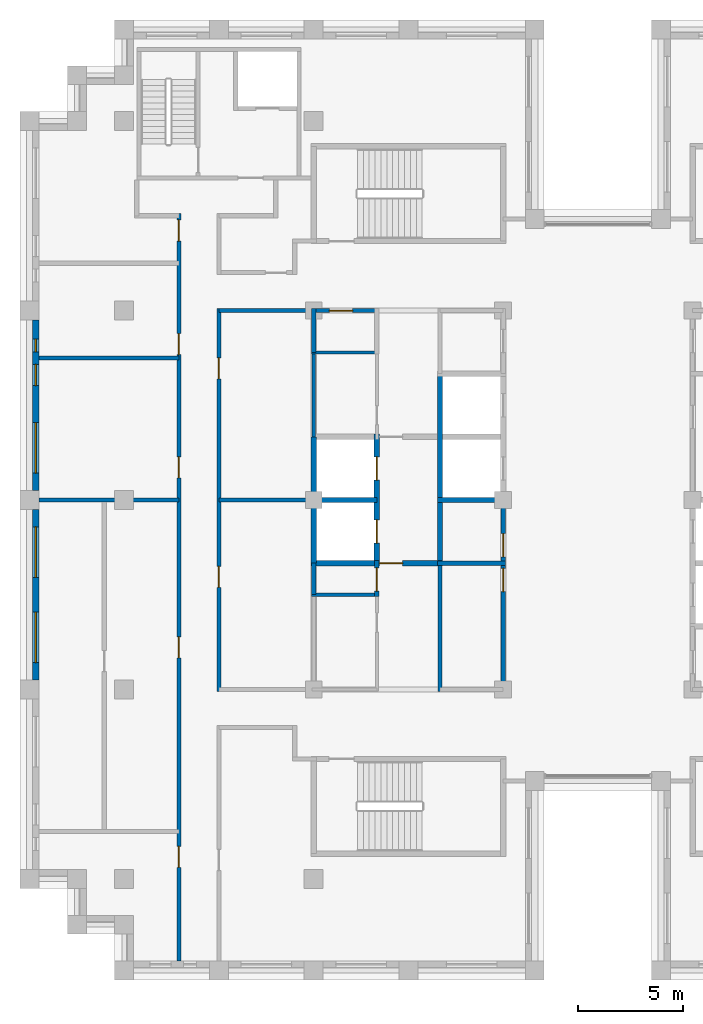
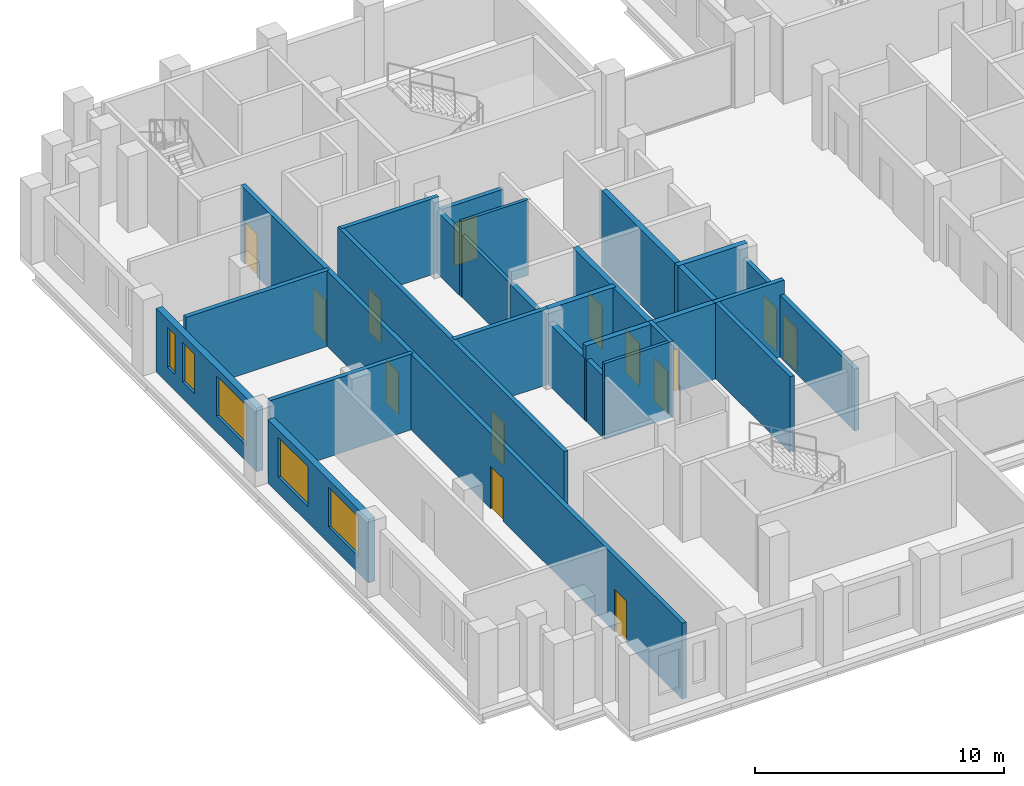
# One storey, part 7 of 13: 24 walls, 14 doors, 5 windows, 19 openings.
"""IFC4 building model written with IfcOpenShell, lengths in metres."""

from ifc_helpers import new_model, si_unit, direction, frame, frame_2d, origin, place, context, subcontext, project, spatial, rectangle, extrude, material, layer, layer_set, type_object, element, fill, save


model = new_model("IFC4")

# Units and contexts
model_context = context("Model", 3, precision=1e-05, world=origin(), true_north=direction((0.0, 1.0)))
body_context = subcontext(model_context, "Body", "Model", "MODEL_VIEW")
ifc_project = project(units=[si_unit("LENGTHUNIT", "METRE"), si_unit("AREAUNIT", "SQUARE_METRE"), si_unit("VOLUMEUNIT", "CUBIC_METRE"), si_unit("PLANEANGLEUNIT", "RADIAN"), si_unit("MASSUNIT", "GRAM", prefix="KILO")], contexts=[model_context])

# Site, building, storey
site_placement = place(None, origin())
site = spatial("IfcSite", under=ifc_project, at=site_placement, CompositionType="ELEMENT")
building_placement = place(site_placement, origin())
building = spatial("IfcBuilding", under=site, at=building_placement, Name="Corbelhall Arena Tower", CompositionType="ELEMENT")
storey_placement = place(building_placement, frame((0.0, 0.0, 270.0)))
storey = spatial("IfcBuildingStorey", under=building, at=storey_placement, Name="L58", CompositionType="ELEMENT", Elevation=270.0)

# Wall, openings, windows
ifc_material_1 = material(Name="Precast concrete C40/50 with granite facing", Category="masonry")
ifc_layer_1 = layer(ifc_material_1, 0.300048828125)
ifc_layer_set_1 = layer_set([ifc_layer_1], Name="EV-IW1 Infill panel 300")
wall_type_1 = type_object("IfcWallType", Name="EV-IW1 Infill panel 300", PredefinedType="SOLIDWALL", material=ifc_layer_set_1)
wall_1_placement = place(storey_placement, frame((-26.699951171875, 8.550048828125, 0.0), z_axis=(0.0, 0.0, 1.0), x_axis=(0.0, -1.0, 0.0)))
wall_1 = element("IfcWall", 1, at=wall_1_placement, inside=storey, type_object=wall_type_1, Name="Infill panel IW1", PredefinedType="SOLIDWALL", context=body_context, shape_type="SweptSolid", body=[
    extrude(rectangle(XDim=8.10009765625, YDim=0.300048828125, at=frame_2d((4.050048828125, 0.0))), origin(), (0.0, 0.0, 1.0), 3.1201171875),
])
opening_1_placement = place(wall_1_placement, frame((4.875, 0.0, 0.800048828125)))
opening_1 = element("IfcOpeningElement", 2, at=opening_1_placement, cuts=wall_1, Name="Opening WN1", PredefinedType="OPENING", context=body_context, shape_type="SweptSolid", body=[
    extrude(rectangle(XDim=2.39990234375, YDim=1.949951171875, at=frame_2d((1.199951171875, 0.97509765625))), frame((0.0, 0.14990234375, 0.0), z_axis=(0.0, -1.0, 0.0), x_axis=(1.0, 0.0, 0.0)), (0.0, 0.0, 1.0), 0.300048828125),
])
opening_2_placement = place(wall_1_placement, frame((0.91259765625, 0.0, 0.800048828125)))
opening_2 = element("IfcOpeningElement", 3, at=opening_2_placement, cuts=wall_1, Name="Opening WN5", PredefinedType="OPENING", context=body_context, shape_type="SweptSolid", body=[
    extrude(rectangle(XDim=0.60009765625, YDim=1.949951171875, at=frame_2d((0.300048828125, 0.97509765625))), frame((0.0, 0.14990234375, 0.0), z_axis=(0.0, -1.0, 0.0), x_axis=(1.0, 0.0, 0.0)), (0.0, 0.0, 1.0), 0.300048828125),
])
opening_3_placement = place(wall_1_placement, frame((2.112548828125, 0.0, 0.800048828125)))
opening_3 = element("IfcOpeningElement", 4, at=opening_3_placement, cuts=wall_1, Name="Opening WN6", PredefinedType="OPENING", context=body_context, shape_type="SweptSolid", body=[
    extrude(rectangle(XDim=1.0, YDim=1.949951171875, at=frame_2d((0.5, 0.97509765625))), frame((0.0, 0.14990234375, 0.0), z_axis=(0.0, -1.0, 0.0), x_axis=(1.0, 0.0, 0.0)), (0.0, 0.0, 1.0), 0.300048828125),
])
ifc_material_2 = material(Name="Aluminium black anodised", Category="aluminium")
window_type_1 = type_object("IfcWindowType", Name="EV-WN1 Office window", PartitioningType="SINGLE_PANEL", PredefinedType="WINDOW", material=ifc_material_2)
window_1_placement = place(opening_1_placement, origin())
window_1 = element("IfcWindow", 5, at=window_1_placement, inside=storey, type_object=window_type_1, Name="Window WN1", OverallHeight=1.949951171875, OverallWidth=2.39990234375, PartitioningType="SINGLE_PANEL", PredefinedType="WINDOW", context=body_context, shape_type="SweptSolid", body=[
    extrude(rectangle(XDim=2.39990234375, YDim=1.949951171875, at=frame_2d((1.199951171875, 0.97509765625))), frame((0.0, 0.030029296875, 0.0), z_axis=(0.0, -1.0, 0.0), x_axis=(1.0, 0.0, 0.0)), (0.0, 0.0, 1.0), 0.06005859375),
])
fill(opening_1, window_1)
window_type_2 = type_object("IfcWindowType", Name="EV-WN5 Office window 600", PartitioningType="SINGLE_PANEL", PredefinedType="WINDOW", material=ifc_material_2)
window_2_placement = place(opening_2_placement, origin())
window_2 = element("IfcWindow", 6, at=window_2_placement, inside=storey, type_object=window_type_2, Name="Window WN5", OverallHeight=1.949951171875, OverallWidth=0.60009765625, PartitioningType="SINGLE_PANEL", PredefinedType="WINDOW", context=body_context, shape_type="SweptSolid", body=[
    extrude(rectangle(XDim=0.60009765625, YDim=1.949951171875, at=frame_2d((0.300048828125, 0.97509765625))), frame((0.0, 0.030029296875, 0.0), z_axis=(0.0, -1.0, 0.0), x_axis=(1.0, 0.0, 0.0)), (0.0, 0.0, 1.0), 0.06005859375),
])
fill(opening_2, window_2)
window_type_3 = type_object("IfcWindowType", Name="EV-WN6 Office window 1000", PartitioningType="SINGLE_PANEL", PredefinedType="WINDOW", material=ifc_material_2)
window_3_placement = place(opening_3_placement, origin())
window_3 = element("IfcWindow", 7, at=window_3_placement, inside=storey, type_object=window_type_3, Name="Window WN6", OverallHeight=1.949951171875, OverallWidth=1.0, PartitioningType="SINGLE_PANEL", PredefinedType="WINDOW", context=body_context, shape_type="SweptSolid", body=[
    extrude(rectangle(XDim=1.0, YDim=1.949951171875, at=frame_2d((0.5, 0.97509765625))), frame((0.0, 0.030029296875, 0.0), z_axis=(0.0, -1.0, 0.0), x_axis=(1.0, 0.0, 0.0)), (0.0, 0.0, 1.0), 0.06005859375),
])
fill(opening_3, window_3)

wall_2_placement = place(storey_placement, frame((-26.699951171875, -0.449951171875, 0.0), z_axis=(0.0, 0.0, 1.0), x_axis=(0.0, -1.0, 0.0)))
wall_2 = element("IfcWall", 8, at=wall_2_placement, inside=storey, type_object=wall_type_1, Name="Infill panel IW1", PredefinedType="SOLIDWALL", context=body_context, shape_type="SweptSolid", body=[
    extrude(rectangle(XDim=8.10009765625, YDim=0.300048828125, at=frame_2d((4.050048828125, 0.0))), origin(), (0.0, 0.0, 1.0), 3.1201171875),
])
opening_4_placement = place(wall_2_placement, frame((0.824951171875, 0.0, 0.800048828125)))
opening_4 = element("IfcOpeningElement", 9, at=opening_4_placement, cuts=wall_2, Name="Opening WN1", PredefinedType="OPENING", context=body_context, shape_type="SweptSolid", body=[
    extrude(rectangle(XDim=2.39990234375, YDim=1.949951171875, at=frame_2d((1.199951171875, 0.97509765625))), frame((0.0, 0.14990234375, 0.0), z_axis=(0.0, -1.0, 0.0), x_axis=(1.0, 0.0, 0.0)), (0.0, 0.0, 1.0), 0.300048828125),
])
opening_5_placement = place(wall_2_placement, frame((4.875, 0.0, 0.800048828125)))
opening_5 = element("IfcOpeningElement", 10, at=opening_5_placement, cuts=wall_2, Name="Opening WN1", PredefinedType="OPENING", context=body_context, shape_type="SweptSolid", body=[
    extrude(rectangle(XDim=2.39990234375, YDim=1.949951171875, at=frame_2d((1.199951171875, 0.97509765625))), frame((0.0, 0.14990234375, 0.0), z_axis=(0.0, -1.0, 0.0), x_axis=(1.0, 0.0, 0.0)), (0.0, 0.0, 1.0), 0.300048828125),
])
window_4_placement = place(opening_4_placement, origin())
window_4 = element("IfcWindow", 11, at=window_4_placement, inside=storey, type_object=window_type_1, Name="Window WN1", OverallHeight=1.949951171875, OverallWidth=2.39990234375, PartitioningType="SINGLE_PANEL", PredefinedType="WINDOW", context=body_context, shape_type="SweptSolid", body=[
    extrude(rectangle(XDim=2.39990234375, YDim=1.949951171875, at=frame_2d((1.199951171875, 0.97509765625))), frame((0.0, 0.030029296875, 0.0), z_axis=(0.0, -1.0, 0.0), x_axis=(1.0, 0.0, 0.0)), (0.0, 0.0, 1.0), 0.06005859375),
])
fill(opening_4, window_4)
window_5_placement = place(opening_5_placement, origin())
window_5 = element("IfcWindow", 12, at=window_5_placement, inside=storey, type_object=window_type_1, Name="Window WN1", OverallHeight=1.949951171875, OverallWidth=2.39990234375, PartitioningType="SINGLE_PANEL", PredefinedType="WINDOW", context=body_context, shape_type="SweptSolid", body=[
    extrude(rectangle(XDim=2.39990234375, YDim=1.949951171875, at=frame_2d((1.199951171875, 0.97509765625))), frame((0.0, 0.030029296875, 0.0), z_axis=(0.0, -1.0, 0.0), x_axis=(1.0, 0.0, 0.0)), (0.0, 0.0, 1.0), 0.06005859375),
])
fill(opening_5, window_5)

# Walls
ifc_material_3 = material(Name="Gypsum board on steel stud, acoustic", Category="steel")
ifc_layer_2 = layer(ifc_material_3, 0.199951171875)
ifc_layer_set_2 = layer_set([ifc_layer_2], Name="IN-W-DM200")
wall_type_2 = type_object("IfcWallType", Name="IN-W-DM200", PredefinedType="PARTITIONING", material=ifc_layer_set_2)
for number, where, z_axis, x_axis, name in (
    (13, (-26.550048828125, 6.75, 0.0), (0.0, 0.0, 1.0), (1.0, 0.0, 0.0), "Partition 002"),
    (14, (-19.89990234375, 0.0, 0.0), (0.0, 0.0, 1.0), (-1.0, 0.0, 0.0), "Partition 005"),
):
    element("IfcWall", number, at=place(storey_placement, frame(where, z_axis=z_axis, x_axis=x_axis)), inside=storey, type_object=wall_type_2, Name=name, PredefinedType="PARTITIONING", context=body_context, shape_type="SweptSolid", body=[
        extrude(rectangle(XDim=6.650146484375, YDim=0.199951171875, at=frame_2d((3.3251953125, 0.0))), origin(), (0.0, 0.0, 1.0), 3.719970703125),
    ])

# Wall, openings, doors
wall_3_placement = place(storey_placement, frame((-19.89990234375, -21.89990234375, 0.0), z_axis=(0.0, 0.0, 1.0), x_axis=(0.0, 1.0, 0.0)))
wall_3 = element("IfcWall", 15, at=wall_3_placement, inside=storey, type_object=wall_type_2, Name="Partition 007", PredefinedType="PARTITIONING", context=body_context, shape_type="SweptSolid", body=[
    extrude(rectangle(XDim=35.5, YDim=0.199951171875, at=frame_2d((17.75, 0.0))), origin(), (0.0, 0.0, 1.0), 3.719970703125),
])
opening_6_placement = place(wall_3_placement, frame((22.949951171875, 0.0, 0.0)))
opening_6 = element("IfcOpeningElement", 16, at=opening_6_placement, cuts=wall_3, Name="Opening 18030", PredefinedType="OPENING", context=body_context, shape_type="SweptSolid", body=[
    extrude(rectangle(XDim=1.0, YDim=2.10009765625, at=frame_2d((0.5, 1.050048828125))), frame((0.0, 0.10009765625, 0.0), z_axis=(0.0, -1.0, 0.0), x_axis=(1.0, 0.0, 0.0)), (0.0, 0.0, 1.0), 0.199951171875),
])
opening_7_placement = place(wall_3_placement, frame((28.800048828125, 0.0, 0.0)))
opening_7 = element("IfcOpeningElement", 17, at=opening_7_placement, cuts=wall_3, Name="Opening 18031", PredefinedType="OPENING", context=body_context, shape_type="SweptSolid", body=[
    extrude(rectangle(XDim=1.0, YDim=2.10009765625, at=frame_2d((0.5, 1.050048828125))), frame((0.0, 0.10009765625, 0.0), z_axis=(0.0, -1.0, 0.0), x_axis=(1.0, 0.0, 0.0)), (0.0, 0.0, 1.0), 0.199951171875),
])
opening_8_placement = place(wall_3_placement, frame((34.199951171875, 0.0, 0.0)))
opening_8 = element("IfcOpeningElement", 18, at=opening_8_placement, cuts=wall_3, Name="Opening 18032", PredefinedType="OPENING", context=body_context, shape_type="SweptSolid", body=[
    extrude(rectangle(XDim=1.0, YDim=2.10009765625, at=frame_2d((0.5, 1.050048828125))), frame((0.0, 0.10009765625, 0.0), z_axis=(0.0, -1.0, 0.0), x_axis=(1.0, 0.0, 0.0)), (0.0, 0.0, 1.0), 0.199951171875),
])
opening_9_placement = place(wall_3_placement, frame((4.449951171875, 0.0, 0.0)))
opening_9 = element("IfcOpeningElement", 19, at=opening_9_placement, cuts=wall_3, Name="Opening 18033", PredefinedType="OPENING", context=body_context, shape_type="SweptSolid", body=[
    extrude(rectangle(XDim=1.0, YDim=2.10009765625, at=frame_2d((0.5, 1.050048828125))), frame((0.0, 0.10009765625, 0.0), z_axis=(0.0, -1.0, 0.0), x_axis=(1.0, 0.0, 0.0)), (0.0, 0.0, 1.0), 0.199951171875),
])
opening_10_placement = place(wall_3_placement, frame((14.39990234375, 0.0, 0.0)))
opening_10 = element("IfcOpeningElement", 20, at=opening_10_placement, cuts=wall_3, Name="Opening 18034", PredefinedType="OPENING", context=body_context, shape_type="SweptSolid", body=[
    extrude(rectangle(XDim=1.0, YDim=2.10009765625, at=frame_2d((0.5, 1.050048828125))), frame((0.0, 0.10009765625, 0.0), z_axis=(0.0, -1.0, 0.0), x_axis=(1.0, 0.0, 0.0)), (0.0, 0.0, 1.0), 0.199951171875),
])
ifc_material_4 = material(Name="Steel door set", Category="steel")
door_type_1 = type_object("IfcDoorType", Name="IN-D-SW100", OperationType="NOTDEFINED", PredefinedType="DOOR", material=ifc_material_4)
door_1_placement = place(opening_6_placement, origin())
door_1 = element("IfcDoor", 21, at=door_1_placement, inside=storey, type_object=door_type_1, Name="Door 030", OperationType="SINGLE_SWING_LEFT", OverallHeight=2.10009765625, OverallWidth=1.0, PredefinedType="DOOR", context=body_context, shape_type="SweptSolid", body=[
    extrude(rectangle(XDim=1.0, YDim=2.10009765625, at=frame_2d((0.5, 1.050048828125))), frame((0.0, 0.02490234375, 0.0), z_axis=(0.0, -1.0, 0.0), x_axis=(1.0, 0.0, 0.0)), (0.0, 0.0, 1.0), 0.050048828125),
])
fill(opening_6, door_1)
door_2_placement = place(opening_7_placement, origin())
door_2 = element("IfcDoor", 22, at=door_2_placement, inside=storey, type_object=door_type_1, Name="Door 031", OperationType="SINGLE_SWING_RIGHT", OverallHeight=2.10009765625, OverallWidth=1.0, PredefinedType="DOOR", context=body_context, shape_type="SweptSolid", body=[
    extrude(rectangle(XDim=1.0, YDim=2.10009765625, at=frame_2d((0.5, 1.050048828125))), frame((0.0, 0.02490234375, 0.0), z_axis=(0.0, -1.0, 0.0), x_axis=(1.0, 0.0, 0.0)), (0.0, 0.0, 1.0), 0.050048828125),
])
fill(opening_7, door_2)
door_3_placement = place(opening_8_placement, origin())
door_3 = element("IfcDoor", 23, at=door_3_placement, inside=storey, type_object=door_type_1, Name="Door 032", OperationType="SINGLE_SWING_LEFT", OverallHeight=2.10009765625, OverallWidth=1.0, PredefinedType="DOOR", context=body_context, shape_type="SweptSolid", body=[
    extrude(rectangle(XDim=1.0, YDim=2.10009765625, at=frame_2d((0.5, 1.050048828125))), frame((0.0, 0.02490234375, 0.0), z_axis=(0.0, -1.0, 0.0), x_axis=(1.0, 0.0, 0.0)), (0.0, 0.0, 1.0), 0.050048828125),
])
fill(opening_8, door_3)
door_4_placement = place(opening_9_placement, origin())
door_4 = element("IfcDoor", 24, at=door_4_placement, inside=storey, type_object=door_type_1, Name="Door 033", OperationType="SINGLE_SWING_RIGHT", OverallHeight=2.10009765625, OverallWidth=1.0, PredefinedType="DOOR", context=body_context, shape_type="SweptSolid", body=[
    extrude(rectangle(XDim=1.0, YDim=2.10009765625, at=frame_2d((0.5, 1.050048828125))), frame((0.0, 0.02490234375, 0.0), z_axis=(0.0, -1.0, 0.0), x_axis=(1.0, 0.0, 0.0)), (0.0, 0.0, 1.0), 0.050048828125),
])
fill(opening_9, door_4)
door_5_placement = place(opening_10_placement, origin())
door_5 = element("IfcDoor", 25, at=door_5_placement, inside=storey, type_object=door_type_1, Name="Door 034", OperationType="SINGLE_SWING_LEFT", OverallHeight=2.10009765625, OverallWidth=1.0, PredefinedType="DOOR", context=body_context, shape_type="SweptSolid", body=[
    extrude(rectangle(XDim=1.0, YDim=2.10009765625, at=frame_2d((0.5, 1.050048828125))), frame((0.0, 0.02490234375, 0.0), z_axis=(0.0, -1.0, 0.0), x_axis=(1.0, 0.0, 0.0)), (0.0, 0.0, 1.0), 0.050048828125),
])
fill(opening_10, door_5)

# Wall
wall_4_placement = place(storey_placement, frame((-18.0, 0.0, 0.0), z_axis=(0.0, 0.0, 1.0), x_axis=(1.0, 0.0, 0.0)))
element("IfcWall", 26, at=wall_4_placement, inside=storey, type_object=wall_type_2, Name="Partition 011", PredefinedType="PARTITIONING", context=body_context, shape_type="SweptSolid", body=[
    extrude(rectangle(XDim=4.5, YDim=0.199951171875, at=frame_2d((2.25, 0.0))), origin(), (0.0, 0.0, 1.0), 3.719970703125),
])

# Wall, openings, doors
wall_5_placement = place(storey_placement, frame((-18.0, 9.10009765625, 0.0), z_axis=(0.0, 0.0, 1.0), x_axis=(0.0, -1.0, 0.0)))
wall_5 = element("IfcWall", 27, at=wall_5_placement, inside=storey, type_object=wall_type_2, Name="Partition 012", PredefinedType="PARTITIONING", context=body_context, shape_type="SweptSolid", body=[
    extrude(rectangle(XDim=18.2001953125, YDim=0.199951171875, at=frame_2d((9.10009765625, 0.0))), origin(), (0.0, 0.0, 1.0), 3.719970703125),
])
opening_11_placement = place(wall_5_placement, frame((12.25, 0.0, 0.0)))
opening_11 = element("IfcOpeningElement", 28, at=opening_11_placement, cuts=wall_5, Name="Opening 18022", PredefinedType="OPENING", context=body_context, shape_type="SweptSolid", body=[
    extrude(rectangle(XDim=1.0, YDim=2.10009765625, at=frame_2d((0.5, 1.050048828125))), frame((0.0, 0.10009765625, 0.0), z_axis=(0.0, -1.0, 0.0), x_axis=(1.0, 0.0, 0.0)), (0.0, 0.0, 1.0), 0.199951171875),
])
opening_12_placement = place(wall_5_placement, frame((2.35009765625, 0.0, 0.0)))
opening_12 = element("IfcOpeningElement", 29, at=opening_12_placement, cuts=wall_5, Name="Opening 18023", PredefinedType="OPENING", context=body_context, shape_type="SweptSolid", body=[
    extrude(rectangle(XDim=1.0, YDim=2.10009765625, at=frame_2d((0.5, 1.050048828125))), frame((0.0, 0.10009765625, 0.0), z_axis=(0.0, -1.0, 0.0), x_axis=(1.0, 0.0, 0.0)), (0.0, 0.0, 1.0), 0.199951171875),
])
door_6_placement = place(opening_11_placement, origin())
door_6 = element("IfcDoor", 30, at=door_6_placement, inside=storey, type_object=door_type_1, Name="Door 022", OperationType="SINGLE_SWING_LEFT", OverallHeight=2.10009765625, OverallWidth=1.0, PredefinedType="DOOR", context=body_context, shape_type="SweptSolid", body=[
    extrude(rectangle(XDim=1.0, YDim=2.10009765625, at=frame_2d((0.5, 1.050048828125))), frame((0.0, 0.02490234375, 0.0), z_axis=(0.0, -1.0, 0.0), x_axis=(1.0, 0.0, 0.0)), (0.0, 0.0, 1.0), 0.050048828125),
])
fill(opening_11, door_6)
door_7_placement = place(opening_12_placement, origin())
door_7 = element("IfcDoor", 31, at=door_7_placement, inside=storey, type_object=door_type_1, Name="Door 023", OperationType="SINGLE_SWING_RIGHT", OverallHeight=2.10009765625, OverallWidth=1.0, PredefinedType="DOOR", context=body_context, shape_type="SweptSolid", body=[
    extrude(rectangle(XDim=1.0, YDim=2.10009765625, at=frame_2d((0.5, 1.050048828125))), frame((0.0, 0.02490234375, 0.0), z_axis=(0.0, -1.0, 0.0), x_axis=(1.0, 0.0, 0.0)), (0.0, 0.0, 1.0), 0.050048828125),
])
fill(opening_12, door_7)

# Wall
wall_6_placement = place(storey_placement, frame((-13.5, 9.0, 0.0), z_axis=(0.0, 0.0, 1.0), x_axis=(-1.0, 0.0, 0.0)))
element("IfcWall", 32, at=wall_6_placement, inside=storey, type_object=wall_type_2, Name="Partition 020", PredefinedType="PARTITIONING", context=body_context, shape_type="SweptSolid", body=[
    extrude(rectangle(XDim=4.5, YDim=0.199951171875, at=frame_2d((2.25, 0.0))), origin(), (0.0, 0.0, 1.0), 3.719970703125),
])

# Wall, opening, door
ifc_material_5 = material(Name="Concrete block wall", Category="concrete")
ifc_layer_3 = layer(ifc_material_5, 0.199951171875)
ifc_layer_set_3 = layer_set([ifc_layer_3], Name="IN-W-RS200")
wall_type_3 = type_object("IfcWallType", Name="IN-W-RS200", PredefinedType="SOLIDWALL", material=ifc_layer_set_3)
wall_7_placement = place(storey_placement, frame((-10.5, -4.574951171875, 0.0), z_axis=(0.0, 0.0, 1.0), x_axis=(0.0, 1.0, 0.0)))
wall_7 = element("IfcWall", 33, at=wall_7_placement, inside=storey, type_object=wall_type_3, Name="Partition 046", PredefinedType="SOLIDWALL", context=body_context, shape_type="SweptSolid", body=[
    extrude(rectangle(XDim=1.699951171875, YDim=0.199951171875, at=frame_2d((0.85009765625, 0.0))), origin(), (0.0, 0.0, 1.0), 3.719970703125),
])
opening_13_placement = place(wall_7_placement, frame((0.25, 0.0, 0.0)))
opening_13 = element("IfcOpeningElement", 34, at=opening_13_placement, cuts=wall_7, Name="Opening 18007", PredefinedType="OPENING", context=body_context, shape_type="SweptSolid", body=[
    extrude(rectangle(XDim=1.10009765625, YDim=2.10009765625, at=frame_2d((0.550048828125, 1.050048828125))), frame((0.0, 0.10009765625, 0.0), z_axis=(0.0, -1.0, 0.0), x_axis=(1.0, 0.0, 0.0)), (0.0, 0.0, 1.0), 0.199951171875),
])
door_type_2 = type_object("IfcDoorType", Name="IN-D-FD110", OperationType="NOTDEFINED", PredefinedType="DOOR", material=ifc_material_4)
door_8_placement = place(opening_13_placement, origin())
door_8 = element("IfcDoor", 35, at=door_8_placement, inside=storey, type_object=door_type_2, Name="Door 007", OperationType="SINGLE_SWING_RIGHT", OverallHeight=2.10009765625, OverallWidth=1.10009765625, PredefinedType="DOOR", context=body_context, shape_type="SweptSolid", body=[
    extrude(rectangle(XDim=1.10009765625, YDim=2.10009765625, at=frame_2d((0.550048828125, 1.050048828125))), frame((0.0, 0.02490234375, 0.0), z_axis=(0.0, -1.0, 0.0), x_axis=(1.0, 0.0, 0.0)), (0.0, 0.0, 1.0), 0.050048828125),
])
fill(opening_13, door_8)

# Walls
wall_8_placement = place(storey_placement, frame((-7.625, -3.0, 0.0), z_axis=(0.0, 0.0, 1.0), x_axis=(1.0, 0.0, 0.0)))
element("IfcWall", 36, at=wall_8_placement, inside=storey, type_object=wall_type_3, Name="Partition 048", PredefinedType="SOLIDWALL", context=body_context, shape_type="SweptSolid", body=[
    extrude(rectangle(XDim=3.22509765625, YDim=0.199951171875, at=frame_2d((1.612548828125, 0.0))), origin(), (0.0, 0.0, 1.0), 3.719970703125),
])
wall_9_placement = place(storey_placement, frame((-7.5, -9.10009765625, 0.0), z_axis=(0.0, 0.0, 1.0), x_axis=(0.0, 1.0, 0.0)))
element("IfcWall", 37, at=wall_9_placement, inside=storey, type_object=wall_type_3, Name="Partition 049", PredefinedType="SOLIDWALL", context=body_context, shape_type="SweptSolid", body=[
    extrude(rectangle(XDim=6.22509765625, YDim=0.199951171875, at=frame_2d((3.112548828125, 0.0))), origin(), (0.0, 0.0, 1.0), 3.719970703125),
])

# Wall, opening, door
ifc_layer_4 = layer(ifc_material_5, 0.199951171875)
ifc_layer_set_4 = layer_set([ifc_layer_4], Name="IN-W-RS200 under beam 678 mm")
wall_type_4 = type_object("IfcWallType", Name="IN-W-RS200 under beam 678 mm", PredefinedType="SOLIDWALL", material=ifc_layer_set_4)
wall_10_placement = place(storey_placement, frame((-13.60009765625, 9.0, 0.0), z_axis=(0.0, 0.0, 1.0), x_axis=(1.0, 0.0, 0.0)))
wall_10 = element("IfcWall", 38, at=wall_10_placement, inside=storey, type_object=wall_type_4, Name="Partition 043", PredefinedType="SOLIDWALL", context=body_context, shape_type="SweptSolid", body=[
    extrude(rectangle(XDim=3.10009765625, YDim=0.199951171875, at=frame_2d((1.550048828125, 0.0))), origin(), (0.0, 0.0, 1.0), 3.041748046875),
])
opening_14_placement = place(wall_10_placement, frame((0.85009765625, 0.0, 0.0)))
opening_14 = element("IfcOpeningElement", 39, at=opening_14_placement, cuts=wall_10, Name="Opening 18009", PredefinedType="OPENING", context=body_context, shape_type="SweptSolid", body=[
    extrude(rectangle(XDim=1.10009765625, YDim=2.10009765625, at=frame_2d((0.550048828125, 1.050048828125))), frame((0.0, 0.10009765625, 0.0), z_axis=(0.0, -1.0, 0.0), x_axis=(1.0, 0.0, 0.0)), (0.0, 0.0, 1.0), 0.199951171875),
])
door_9_placement = place(opening_14_placement, origin())
door_9 = element("IfcDoor", 40, at=door_9_placement, inside=storey, type_object=door_type_2, Name="Door 009", OperationType="SINGLE_SWING_RIGHT", OverallHeight=2.10009765625, OverallWidth=1.10009765625, PredefinedType="DOOR", context=body_context, shape_type="SweptSolid", body=[
    extrude(rectangle(XDim=1.10009765625, YDim=2.10009765625, at=frame_2d((0.550048828125, 1.050048828125))), frame((0.0, 0.02490234375, 0.0), z_axis=(0.0, -1.0, 0.0), x_axis=(1.0, 0.0, 0.0)), (0.0, 0.0, 1.0), 0.050048828125),
])
fill(opening_14, door_9)

# Walls
wall_11_placement = place(storey_placement, frame((-13.5, -4.5, 0.0), z_axis=(0.0, 0.0, 1.0), x_axis=(0.0, 1.0, 0.0)))
element("IfcWall", 41, at=wall_11_placement, inside=storey, type_object=wall_type_4, Name="Partition 044", PredefinedType="SOLIDWALL", context=body_context, shape_type="SweptSolid", body=[
    extrude(rectangle(XDim=1.5, YDim=0.199951171875, at=frame_2d((0.75, 0.0))), origin(), (0.0, 0.0, 1.0), 3.041748046875),
])
wall_12_placement = place(storey_placement, frame((-13.5, 7.0, 0.0), z_axis=(0.0, 0.0, 1.0), x_axis=(0.0, 1.0, 0.0)))
element("IfcWall", 42, at=wall_12_placement, inside=storey, type_object=wall_type_4, Name="Partition 045", PredefinedType="SOLIDWALL", context=body_context, shape_type="SweptSolid", body=[
    extrude(rectangle(XDim=2.10009765625, YDim=0.199951171875, at=frame_2d((1.050048828125, 0.0))), origin(), (0.0, 0.0, 1.0), 3.041748046875),
])

# Wall, openings, doors
wall_13_placement = place(storey_placement, frame((-4.5, 0.0, 0.0), z_axis=(0.0, 0.0, 1.0), x_axis=(0.0, -1.0, 0.0)))
wall_13 = element("IfcWall", 43, at=wall_13_placement, inside=storey, type_object=wall_type_4, Name="Partition 053", PredefinedType="SOLIDWALL", context=body_context, shape_type="SweptSolid", body=[
    extrude(rectangle(XDim=9.10009765625, YDim=0.199951171875, at=frame_2d((4.550048828125, 0.0))), origin(), (0.0, 0.0, 1.0), 3.041748046875),
])
opening_15_placement = place(wall_13_placement, frame((3.25, 0.0, 0.0)))
opening_15 = element("IfcOpeningElement", 44, at=opening_15_placement, cuts=wall_13, Name="Opening 18001", PredefinedType="OPENING", context=body_context, shape_type="SweptSolid", body=[
    extrude(rectangle(XDim=1.10009765625, YDim=2.10009765625, at=frame_2d((0.550048828125, 1.050048828125))), frame((0.0, 0.10009765625, 0.0), z_axis=(0.0, -1.0, 0.0), x_axis=(1.0, 0.0, 0.0)), (0.0, 0.0, 1.0), 0.199951171875),
])
opening_16_placement = place(wall_13_placement, frame((1.60009765625, 0.0, 0.0)))
opening_16 = element("IfcOpeningElement", 45, at=opening_16_placement, cuts=wall_13, Name="Opening 18002", PredefinedType="OPENING", context=body_context, shape_type="SweptSolid", body=[
    extrude(rectangle(XDim=1.10009765625, YDim=2.10009765625, at=frame_2d((0.550048828125, 1.050048828125))), frame((0.0, 0.10009765625, 0.0), z_axis=(0.0, -1.0, 0.0), x_axis=(1.0, 0.0, 0.0)), (0.0, 0.0, 1.0), 0.199951171875),
])
door_10_placement = place(opening_15_placement, origin())
door_10 = element("IfcDoor", 46, at=door_10_placement, inside=storey, type_object=door_type_2, Name="Door 001", OperationType="SINGLE_SWING_RIGHT", OverallHeight=2.10009765625, OverallWidth=1.10009765625, PredefinedType="DOOR", context=body_context, shape_type="SweptSolid", body=[
    extrude(rectangle(XDim=1.10009765625, YDim=2.10009765625, at=frame_2d((0.550048828125, 1.050048828125))), frame((0.0, 0.02490234375, 0.0), z_axis=(0.0, -1.0, 0.0), x_axis=(1.0, 0.0, 0.0)), (0.0, 0.0, 1.0), 0.050048828125),
])
fill(opening_15, door_10)
door_11_placement = place(opening_16_placement, origin())
door_11 = element("IfcDoor", 47, at=door_11_placement, inside=storey, type_object=door_type_2, Name="Door 002", OperationType="SINGLE_SWING_LEFT", OverallHeight=2.10009765625, OverallWidth=1.10009765625, PredefinedType="DOOR", context=body_context, shape_type="SweptSolid", body=[
    extrude(rectangle(XDim=1.10009765625, YDim=2.10009765625, at=frame_2d((0.550048828125, 1.050048828125))), frame((0.0, 0.02490234375, 0.0), z_axis=(0.0, -1.0, 0.0), x_axis=(1.0, 0.0, 0.0)), (0.0, 0.0, 1.0), 0.050048828125),
])
fill(opening_16, door_11)

# Wall
ifc_material_6 = material(Name="Concrete C40/50", Category="concrete")
ifc_layer_5 = layer(ifc_material_6, 0.25)
ifc_layer_set_5 = layer_set([ifc_layer_5], Name="IN-W-SH250")
wall_type_5 = type_object("IfcWallType", Name="IN-W-SH250", PredefinedType="SOLIDWALL", material=ifc_layer_set_5)
wall_14_placement = place(storey_placement, frame((-13.625, 0.0, 0.0), z_axis=(0.0, 0.0, 1.0), x_axis=(1.0, 0.0, 0.0)))
element("IfcWall", 48, at=wall_14_placement, inside=storey, type_object=wall_type_5, Name="Shaft wall 067", PredefinedType="SOLIDWALL", context=body_context, shape_type="SweptSolid", body=[
    extrude(rectangle(XDim=3.125, YDim=0.25, at=frame_2d((1.5625, 0.0))), origin(), (0.0, 0.0, 1.0), 3.719970703125),
])

# Wall, opening, door
wall_15_placement = place(storey_placement, frame((-13.625, -3.0, 0.0), z_axis=(0.0, 0.0, 1.0), x_axis=(1.0, 0.0, 0.0)))
wall_15 = element("IfcWall", 49, at=wall_15_placement, inside=storey, type_object=wall_type_5, Name="Shaft wall 070", PredefinedType="SOLIDWALL", context=body_context, shape_type="SweptSolid", body=[
    extrude(rectangle(XDim=6.125, YDim=0.25, at=frame_2d((3.0625, 0.0))), origin(), (0.0, 0.0, 1.0), 3.719970703125),
])
opening_17_placement = place(wall_15_placement, frame((3.25, 0.0, 0.0)))
opening_17 = element("IfcOpeningElement", 50, at=opening_17_placement, cuts=wall_15, Name="Opening 18004", PredefinedType="OPENING", context=body_context, shape_type="SweptSolid", body=[
    extrude(rectangle(XDim=1.10009765625, YDim=2.10009765625, at=frame_2d((0.550048828125, 1.050048828125))), frame((0.0, 0.125, 0.0), z_axis=(0.0, -1.0, 0.0), x_axis=(1.0, 0.0, 0.0)), (0.0, 0.0, 1.0), 0.25),
])
door_12_placement = place(opening_17_placement, origin())
door_12 = element("IfcDoor", 51, at=door_12_placement, inside=storey, type_object=door_type_2, Name="Door 004", OperationType="SINGLE_SWING_LEFT", OverallHeight=2.10009765625, OverallWidth=1.10009765625, PredefinedType="DOOR", context=body_context, shape_type="SweptSolid", body=[
    extrude(rectangle(XDim=1.10009765625, YDim=2.10009765625, at=frame_2d((0.550048828125, 1.050048828125))), frame((0.0, 0.02490234375, 0.0), z_axis=(0.0, -1.0, 0.0), x_axis=(1.0, 0.0, 0.0)), (0.0, 0.0, 1.0), 0.050048828125),
])
fill(opening_17, door_12)

# Wall, openings, doors
wall_16_placement = place(storey_placement, frame((-10.5, -3.125, 0.0), z_axis=(0.0, 0.0, 1.0), x_axis=(0.0, 1.0, 0.0)))
wall_16 = element("IfcWall", 52, at=wall_16_placement, inside=storey, type_object=wall_type_5, Name="Shaft wall 071", PredefinedType="SOLIDWALL", context=body_context, shape_type="SweptSolid", body=[
    extrude(rectangle(XDim=6.25, YDim=0.25, at=frame_2d((3.125, 0.0))), origin(), (0.0, 0.0, 1.0), 3.719970703125),
])
opening_18_placement = place(wall_16_placement, frame((1.074951171875, 0.0, 0.0)))
opening_18 = element("IfcOpeningElement", 53, at=opening_18_placement, cuts=wall_16, Name="Opening LD", PredefinedType="OPENING", context=body_context, shape_type="SweptSolid", body=[
    extrude(rectangle(XDim=1.10009765625, YDim=2.10009765625, at=frame_2d((0.550048828125, 1.050048828125))), frame((0.0, 0.125, 0.0), z_axis=(0.0, -1.0, 0.0), x_axis=(1.0, 0.0, 0.0)), (0.0, 0.0, 1.0), 0.25),
])
opening_19_placement = place(wall_16_placement, frame((4.074951171875, 0.0, 0.0)))
opening_19 = element("IfcOpeningElement", 54, at=opening_19_placement, cuts=wall_16, Name="Opening LD", PredefinedType="OPENING", context=body_context, shape_type="SweptSolid", body=[
    extrude(rectangle(XDim=1.10009765625, YDim=2.10009765625, at=frame_2d((0.550048828125, 1.050048828125))), frame((0.0, 0.125, 0.0), z_axis=(0.0, -1.0, 0.0), x_axis=(1.0, 0.0, 0.0)), (0.0, 0.0, 1.0), 0.25),
])
door_type_3 = type_object("IfcDoorType", Name="IN-D-LD110", OperationType="NOTDEFINED", PredefinedType="DOOR", material=ifc_material_4)
door_13_placement = place(opening_18_placement, origin())
door_13 = element("IfcDoor", 55, at=door_13_placement, inside=storey, type_object=door_type_3, Name="Landing door W3", OperationType="SLIDING_TO_LEFT", OverallHeight=2.10009765625, OverallWidth=1.10009765625, PredefinedType="DOOR", context=body_context, shape_type="SweptSolid", body=[
    extrude(rectangle(XDim=1.10009765625, YDim=2.10009765625, at=frame_2d((0.550048828125, 1.050048828125))), frame((0.0, 0.02490234375, 0.0), z_axis=(0.0, -1.0, 0.0), x_axis=(1.0, 0.0, 0.0)), (0.0, 0.0, 1.0), 0.050048828125),
])
fill(opening_18, door_13)
door_14_placement = place(opening_19_placement, origin())
door_14 = element("IfcDoor", 56, at=door_14_placement, inside=storey, type_object=door_type_3, Name="Landing door W4", OperationType="SLIDING_TO_LEFT", OverallHeight=2.10009765625, OverallWidth=1.10009765625, PredefinedType="DOOR", context=body_context, shape_type="SweptSolid", body=[
    extrude(rectangle(XDim=1.10009765625, YDim=2.10009765625, at=frame_2d((0.550048828125, 1.050048828125))), frame((0.0, 0.02490234375, 0.0), z_axis=(0.0, -1.0, 0.0), x_axis=(1.0, 0.0, 0.0)), (0.0, 0.0, 1.0), 0.050048828125),
])
fill(opening_19, door_14)

# Walls
wall_17_placement = place(storey_placement, frame((-7.625, 0.0, 0.0), z_axis=(0.0, 0.0, 1.0), x_axis=(1.0, 0.0, 0.0)))
element("IfcWall", 57, at=wall_17_placement, inside=storey, type_object=wall_type_5, Name="Shaft wall 072", PredefinedType="SOLIDWALL", context=body_context, shape_type="SweptSolid", body=[
    extrude(rectangle(XDim=3.25, YDim=0.25, at=frame_2d((1.625, 0.0))), origin(), (0.0, 0.0, 1.0), 3.719970703125),
])
wall_18_placement = place(storey_placement, frame((-7.5, -3.125, 0.0), z_axis=(0.0, 0.0, 1.0), x_axis=(0.0, 1.0, 0.0)))
element("IfcWall", 58, at=wall_18_placement, inside=storey, type_object=wall_type_5, Name="Shaft wall 074", PredefinedType="SOLIDWALL", context=body_context, shape_type="SweptSolid", body=[
    extrude(rectangle(XDim=9.125, YDim=0.25, at=frame_2d((4.5625, 0.0))), origin(), (0.0, 0.0, 1.0), 3.719970703125),
])
ifc_layer_6 = layer(ifc_material_6, 0.25)
ifc_layer_set_6 = layer_set([ifc_layer_6], Name="IN-W-SH250 under beam 678 mm")
wall_type_6 = type_object("IfcWallType", Name="IN-W-SH250 under beam 678 mm", PredefinedType="SOLIDWALL", material=ifc_layer_set_6)
wall_19_placement = place(storey_placement, frame((-13.5, -3.0, 0.0), z_axis=(0.0, 0.0, 1.0), x_axis=(0.0, 1.0, 0.0)))
element("IfcWall", 59, at=wall_19_placement, inside=storey, type_object=wall_type_6, Name="Shaft wall 069", PredefinedType="SOLIDWALL", context=body_context, shape_type="SweptSolid", body=[
    extrude(rectangle(XDim=6.0, YDim=0.25, at=frame_2d((3.0, 0.0))), origin(), (0.0, 0.0, 1.0), 3.041748046875),
])
ifc_material_7 = material(Name="Gypsum board on steel stud, moisture resistant", Category="steel")
ifc_layer_7 = layer(ifc_material_7, 0.14990234375)
ifc_layer_set_7 = layer_set([ifc_layer_7], Name="IN-W-WC150")
wall_type_7 = type_object("IfcWallType", Name="IN-W-WC150", PredefinedType="PARTITIONING", material=ifc_layer_set_7)
for number, where, z_axis, x_axis, name in (
    (60, (-13.60009765625, -4.5, 0.0), (0.0, 0.0, 1.0), (1.0, 0.0, 0.0), "Partition 102"),
    (61, (-13.60009765625, 7.0, 0.0), (0.0, 0.0, 1.0), (1.0, 0.0, 0.0), "Partition 103"),
):
    element("IfcWall", number, at=place(storey_placement, frame(where, z_axis=z_axis, x_axis=x_axis)), inside=storey, type_object=wall_type_7, Name=name, PredefinedType="PARTITIONING", context=body_context, shape_type="SweptSolid", body=[
        extrude(rectangle(XDim=3.10009765625, YDim=0.14990234375, at=frame_2d((1.550048828125, 0.0))), origin(), (0.0, 0.0, 1.0), 3.719970703125),
    ])
ifc_layer_8 = layer(ifc_material_7, 0.14990234375)
ifc_layer_set_8 = layer_set([ifc_layer_8], Name="IN-W-WC150 under beam 678 mm")
wall_type_8 = type_object("IfcWallType", Name="IN-W-WC150 under beam 678 mm", PredefinedType="PARTITIONING", material=ifc_layer_set_8)
wall_20_placement = place(storey_placement, frame((-13.5, 3.0, 0.0), z_axis=(0.0, 0.0, 1.0), x_axis=(0.0, 1.0, 0.0)))
element("IfcWall", 62, at=wall_20_placement, inside=storey, type_object=wall_type_8, Name="Partition 105", PredefinedType="PARTITIONING", context=body_context, shape_type="SweptSolid", body=[
    extrude(rectangle(XDim=4.0, YDim=0.14990234375, at=frame_2d((2.0, 0.0))), origin(), (0.0, 0.0, 1.0), 3.041748046875),
])

save(model, "model.ifc")
